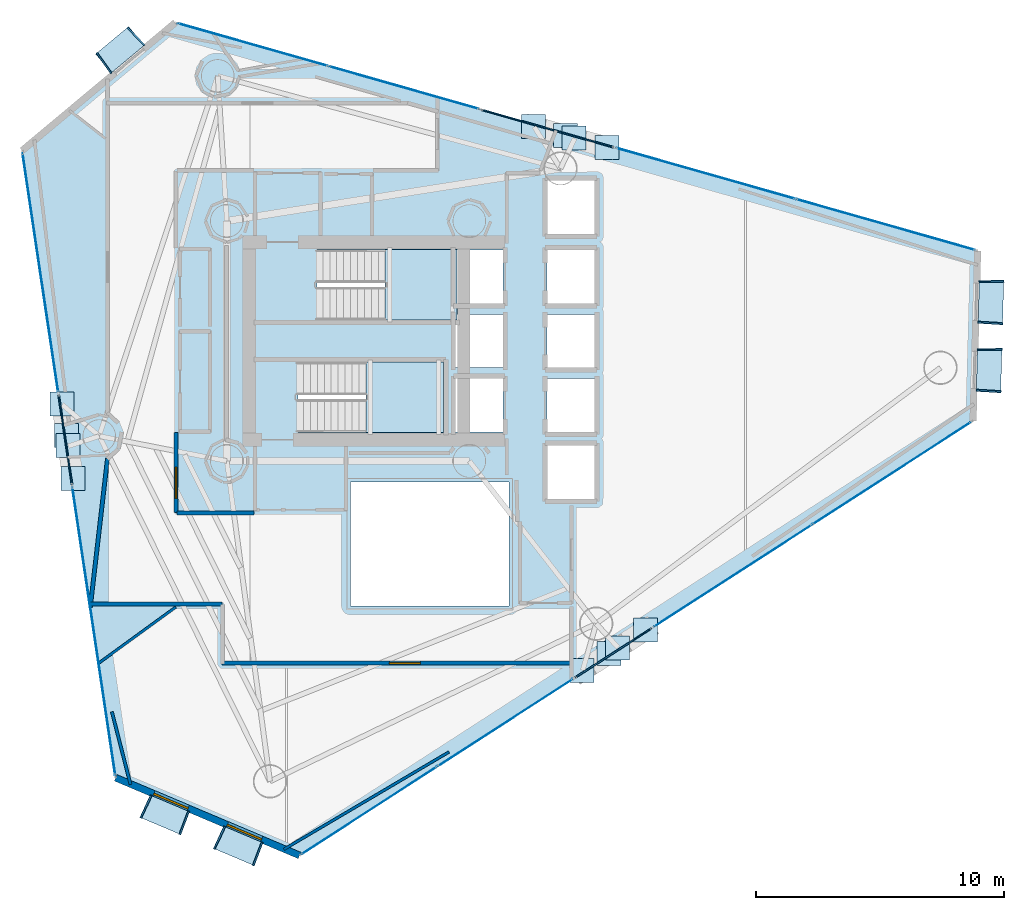
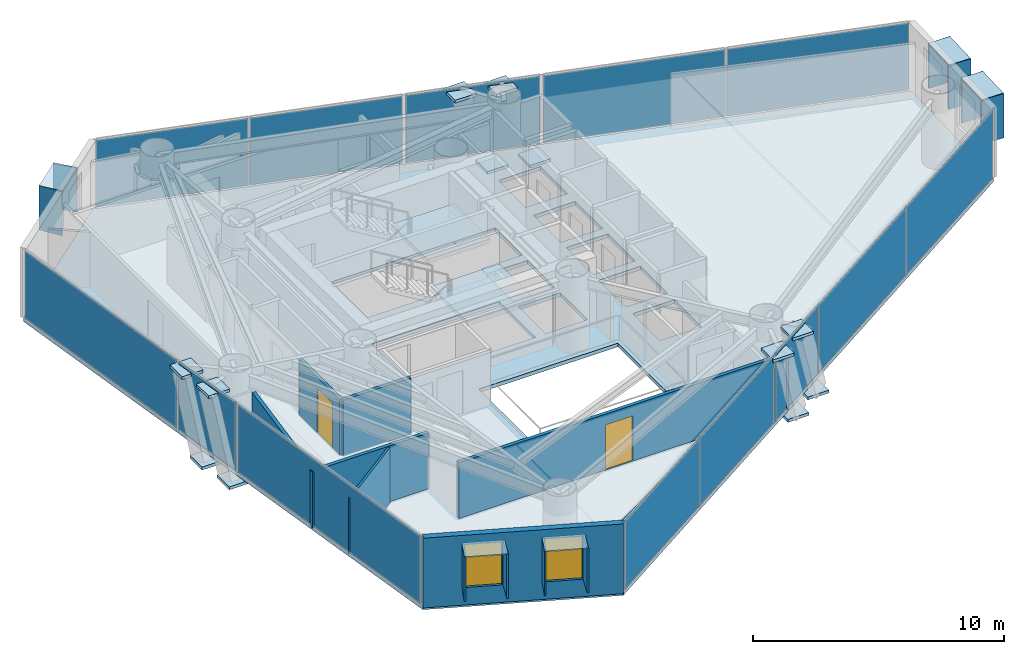
# One storey, part 17 of 22: 40 plates, 9 walls, 3 slabs, 2 doors, 2 windows, 4 openings, 11 elements without a shape of their own.
"""IFC4 building model written with IfcOpenShell, lengths in metres."""

from ifc_helpers import new_model, si_unit, direction, frame, frame_2d, origin, origin_2d, place, context, subcontext, project, spatial, polyline, rectangle, outline, extrude, material, layer, layer_set, type_object, element, fill, aggregate, save


model = new_model("IFC4")

# Units and contexts
model_context = context("Model", 3, precision=1e-05, world=origin(), true_north=direction((0.0, 1.0)))
body_context = subcontext(model_context, "Body", "Model", "MODEL_VIEW")
ifc_project = project(units=[si_unit("LENGTHUNIT", "METRE"), si_unit("AREAUNIT", "SQUARE_METRE"), si_unit("VOLUMEUNIT", "CUBIC_METRE"), si_unit("PLANEANGLEUNIT", "RADIAN"), si_unit("MASSUNIT", "GRAM", prefix="KILO")], contexts=[model_context])

# Site, building, storey
site_placement = place(None, origin())
site = spatial("IfcSite", under=ifc_project, at=site_placement, CompositionType="ELEMENT")
building_placement = place(site_placement, origin())
building = spatial("IfcBuilding", under=site, at=building_placement, Name="Qianvela Tower", CompositionType="ELEMENT")
storey_placement = place(building_placement, frame((0.0, 0.0, 180.89990234375)))
storey = spatial("IfcBuildingStorey", under=building, at=storey_placement, Name="L46", CompositionType="ELEMENT", Elevation=180.89990234375)

# Curtain wall, plate
ifc_material_1 = material(Name="Anodised Architectural Aluminium and Insulated Spandrel Panel", Category="aluminium")
ifc_layer_1 = layer(ifc_material_1, 0.179931640625)
ifc_layer_set_1 = layer_set([ifc_layer_1], Name="Anodised Architectural Aluminium and Insulated Spandrel Panel")
curtain_wall_type_1 = type_object("IfcCurtainWallType", Name="CW-BRACEBAY", PredefinedType="USERDEFINED", material=ifc_layer_set_1)
curtain_wall_1_placement = place(storey_placement, origin())
curtain_wall_1 = element("IfcCurtainWall", 1, at=curtain_wall_1_placement, inside=storey, type_object=curtain_wall_type_1, Name="L46 CW-BRACEBAY Curtain Wall 02B", ObjectType="CURTAIN_WALL_SYSTEM", PredefinedType="USERDEFINED")
ifc_material_2 = material(Name="Insulated Aluminium Spandrel Panel with Mineral-Wool Backpan", Category="aluminium")
ifc_layer_2 = layer(ifc_material_2, 0.06005859375)
ifc_layer_set_2 = layer_set([ifc_layer_2], Name="Insulated Aluminium Spandrel Panel with Mineral-Wool Backpan")
plate_type_1 = type_object("IfcPlateType", Name="CW-BRACEBAY-PNL", PredefinedType="CURTAIN_PANEL", material=ifc_layer_set_2)
plate_1_placement = place(storey_placement, frame((41.5634765625, 37.28466796875, 0.065185546875), z_axis=(0.0, 0.0, 1.0), x_axis=(-0.961867878695, 0.273514504068, 0.0)))
plate_1 = element("IfcPlate", 2, at=plate_1_placement, type_object=plate_type_1, Name="CW-9 panel 1.1", PredefinedType="CURTAIN_PANEL", context=body_context, shape_type="SweptSolid", body=[
    extrude(rectangle(XDim=5.530029296875, YDim=0.06005859375, at=origin_2d()), origin(), (0.0, 0.0, 1.0), 3.27001953125),
])
aggregate(curtain_wall_1, [plate_1])

curtain_wall_2_placement = place(storey_placement, origin())
curtain_wall_2 = element("IfcCurtainWall", 3, at=curtain_wall_2_placement, inside=storey, type_object=curtain_wall_type_1, Name="L46 CW-BRACEBAY Curtain Wall 04B", ObjectType="CURTAIN_WALL_SYSTEM", PredefinedType="USERDEFINED")
plate_2_placement = place(storey_placement, frame((22.076904296875, 24.708740234375, 0.065185546875), z_axis=(0.0, 0.0, 1.0), x_axis=(0.147465626524, -0.989067181234, 0.0)))
plate_2 = element("IfcPlate", 4, at=plate_2_placement, type_object=plate_type_1, Name="CW-9 panel 1.1", PredefinedType="CURTAIN_PANEL", context=body_context, shape_type="SweptSolid", body=[
    extrude(rectangle(XDim=3.66015625, YDim=0.06005859375, at=origin_2d()), origin(), (0.0, 0.0, 1.0), 3.27001953125),
])
aggregate(curtain_wall_2, [plate_2])

curtain_wall_3_placement = place(storey_placement, origin())
curtain_wall_3 = element("IfcCurtainWall", 5, at=curtain_wall_3_placement, inside=storey, type_object=curtain_wall_type_1, Name="L46 CW-BRACEBAY Curtain Wall 06B", ObjectType="CURTAIN_WALL_SYSTEM", PredefinedType="USERDEFINED")
plate_3_placement = place(storey_placement, frame((44.22216796875, 16.09716796875, 0.065185546875), z_axis=(0.0, 0.0, 1.0), x_axis=(0.840238483381, 0.542217014715, 0.0)))
plate_3 = element("IfcPlate", 6, at=plate_3_placement, type_object=plate_type_1, Name="CW-9 panel 1.1", PredefinedType="CURTAIN_PANEL", context=body_context, shape_type="SweptSolid", body=[
    extrude(rectangle(XDim=3.659912109375, YDim=0.06005859375, at=origin_2d()), origin(), (0.0, 0.0, 1.0), 3.27001953125),
])
aggregate(curtain_wall_3, [plate_3])

# Curtain wall, plates
ifc_material_3 = material(Name="Anodised Architectural Aluminium and Low-E Glass", Category="aluminium")
ifc_layer_3 = layer(ifc_material_3, 0.169921875)
ifc_layer_set_3 = layer_set([ifc_layer_3], Name="Anodised Architectural Aluminium and Low-E Glass")
curtain_wall_type_2 = type_object("IfcCurtainWallType", Name="CW-COLIV-Z34", PredefinedType="USERDEFINED", material=ifc_layer_set_3)
curtain_wall_4_placement = place(storey_placement, origin())
curtain_wall_4 = element("IfcCurtainWall", 7, at=curtain_wall_4_placement, inside=storey, type_object=curtain_wall_type_2, Name="L46 CW-COLIV-Z34 Curtain Wall 02A", ObjectType="CURTAIN_WALL_SYSTEM", PredefinedType="USERDEFINED")
ifc_material_4 = material(Name="Double-Silver Low-E Insulated Glass", Category="glass")
ifc_layer_4 = layer(ifc_material_4, 0.028076171875)
ifc_layer_set_4 = layer_set([ifc_layer_4], Name="Double-Silver Low-E Insulated Glass")
plate_type_2 = type_object("IfcPlateType", Name="CW-COLIV-Z34-PNL", PredefinedType="CURTAIN_PANEL", material=ifc_layer_set_4)
plate_4_placement = place(storey_placement, frame((55.220703125, 33.401123046875, 0.065185546875), z_axis=(0.0, 0.0, 1.0), x_axis=(-0.961870706003, 0.273504561082, 0.0)))
plate_4 = element("IfcPlate", 8, at=plate_4_placement, type_object=plate_type_2, Name="CW-4 panel 1.1", PredefinedType="CURTAIN_PANEL", context=body_context, shape_type="SweptSolid", body=[
    extrude(rectangle(XDim=7.492431640625, YDim=0.028076171875, at=origin_2d()), origin(), (0.0, 0.0, 1.0), 3.27001953125),
])
plate_5_placement = place(storey_placement, frame((47.951416015625, 35.468017578125, 0.065185546875), z_axis=(0.0, 0.0, 1.0), x_axis=(-0.961870706003, 0.273504561082, 0.0)))
plate_5 = element("IfcPlate", 9, at=plate_5_placement, type_object=plate_type_2, Name="CW-4 panel 2.1", PredefinedType="CURTAIN_PANEL", context=body_context, shape_type="SweptSolid", body=[
    extrude(rectangle(XDim=7.492431640625, YDim=0.028076171875, at=origin_2d()), origin(), (0.0, 0.0, 1.0), 3.27001953125),
])
aggregate(curtain_wall_4, [plate_4, plate_5])

curtain_wall_5_placement = place(storey_placement, origin())
curtain_wall_5 = element("IfcCurtainWall", 10, at=curtain_wall_5_placement, inside=storey, type_object=curtain_wall_type_2, Name="L46 CW-COLIV-Z34 Curtain Wall 02C", ObjectType="CURTAIN_WALL_SYSTEM", PredefinedType="USERDEFINED")
plate_6_placement = place(storey_placement, frame((35.7578125, 38.935302734375, 0.065185546875), z_axis=(0.0, 0.0, 1.0), x_axis=(-0.961871315197, 0.273502418638, 0.0)))
plate_6 = element("IfcPlate", 11, at=plate_6_placement, type_object=plate_type_2, Name="CW-4 panel 1.1", PredefinedType="CURTAIN_PANEL", context=body_context, shape_type="SweptSolid", body=[
    extrude(rectangle(XDim=6.281494140625, YDim=0.028076171875, at=origin_2d()), origin(), (0.0, 0.0, 1.0), 3.27001953125),
])
plate_7_placement = place(storey_placement, frame((29.6533203125, 40.671142578125, 0.065185546875), z_axis=(0.0, 0.0, 1.0), x_axis=(-0.961871315197, 0.273502418638, 0.0)))
plate_7 = element("IfcPlate", 12, at=plate_7_placement, type_object=plate_type_2, Name="CW-4 panel 2.1", PredefinedType="CURTAIN_PANEL", context=body_context, shape_type="SweptSolid", body=[
    extrude(rectangle(XDim=6.281494140625, YDim=0.028076171875, at=origin_2d()), origin(), (0.0, 0.0, 1.0), 3.27001953125),
])
aggregate(curtain_wall_5, [plate_6, plate_7])

# Curtain wall, plate
curtain_wall_6_placement = place(storey_placement, origin())
curtain_wall_6 = element("IfcCurtainWall", 13, at=curtain_wall_6_placement, inside=storey, type_object=curtain_wall_type_2, Name="L46 CW-COLIV-Z34 Curtain Wall 04A", ObjectType="CURTAIN_WALL_SYSTEM", PredefinedType="USERDEFINED")
plate_8_placement = place(storey_placement, frame((21.06982421875, 31.464111328125, 0.065185546875), z_axis=(0.0, 0.0, 1.0), x_axis=(0.147458504505, -0.98906824307, 0.0)))
plate_8 = element("IfcPlate", 14, at=plate_8_placement, type_object=plate_type_2, Name="CW-4 panel 1.1", PredefinedType="CURTAIN_PANEL", context=body_context, shape_type="SweptSolid", body=[
    extrude(rectangle(XDim=9.739990234375, YDim=0.028076171875, at=origin_2d()), origin(), (0.0, 0.0, 1.0), 3.27001953125),
])
aggregate(curtain_wall_6, [plate_8])

curtain_wall_7_placement = place(storey_placement, origin())
curtain_wall_7 = element("IfcCurtainWall", 15, at=curtain_wall_7_placement, inside=storey, type_object=curtain_wall_type_2, Name="L46 CW-COLIV-Z34 Curtain Wall 04C", ObjectType="CURTAIN_WALL_SYSTEM", PredefinedType="USERDEFINED")
plate_9_placement = place(storey_placement, frame((23.231201171875, 16.967041015625, 0.065185546875), z_axis=(0.0, 0.0, 1.0), x_axis=(0.147466214467, -0.989067093574, 0.0)))
plate_9 = element("IfcPlate", 16, at=plate_9_placement, type_object=plate_type_2, Name="CW-4 panel 1.1", PredefinedType="CURTAIN_PANEL", context=body_context, shape_type="SweptSolid", body=[
    extrude(rectangle(XDim=11.734375, YDim=0.028076171875, at=origin_2d()), origin(), (0.0, 0.0, 1.0), 3.27001953125),
])
aggregate(curtain_wall_7, [plate_9])

# Curtain wall, plates
curtain_wall_8_placement = place(storey_placement, origin())
curtain_wall_8 = element("IfcCurtainWall", 17, at=curtain_wall_8_placement, inside=storey, type_object=curtain_wall_type_2, Name="L46 CW-COLIV-Z34 Curtain Wall 06A", ObjectType="CURTAIN_WALL_SYSTEM", PredefinedType="USERDEFINED")
plate_10_placement = place(storey_placement, frame((34.356689453125, 9.731201171875, 0.065185546875), z_axis=(0.0, 0.0, 1.0), x_axis=(0.84025663966, 0.542188878074, 0.0)))
plate_10 = element("IfcPlate", 18, at=plate_10_placement, type_object=plate_type_2, Name="CW-4 panel 1.1", PredefinedType="CURTAIN_PANEL", context=body_context, shape_type="SweptSolid", body=[
    extrude(rectangle(XDim=6.4775390625, YDim=0.028076171875, at=origin_2d()), origin(), (0.0, 0.0, 1.0), 3.27001953125),
])
plate_11_placement = place(storey_placement, frame((39.85400390625, 13.2783203125, 0.065185546875), z_axis=(0.0, 0.0, 1.0), x_axis=(0.84025663966, 0.542188878074, 0.0)))
plate_11 = element("IfcPlate", 19, at=plate_11_placement, type_object=plate_type_2, Name="CW-4 panel 2.1", PredefinedType="CURTAIN_PANEL", context=body_context, shape_type="SweptSolid", body=[
    extrude(rectangle(XDim=6.4775390625, YDim=0.028076171875, at=origin_2d()), origin(), (0.0, 0.0, 1.0), 3.27001953125),
])
aggregate(curtain_wall_8, [plate_10, plate_11])

curtain_wall_9_placement = place(storey_placement, origin())
curtain_wall_9 = element("IfcCurtainWall", 20, at=curtain_wall_9_placement, inside=storey, type_object=curtain_wall_type_2, Name="L46 CW-COLIV-Z34 Curtain Wall 06C", ObjectType="CURTAIN_WALL_SYSTEM", PredefinedType="USERDEFINED")
plate_12_placement = place(storey_placement, frame((49.051513671875, 19.21337890625, 0.065185546875), z_axis=(0.0, 0.0, 1.0), x_axis=(0.840255943922, 0.542189956292, 0.0)))
plate_12 = element("IfcPlate", 21, at=plate_12_placement, type_object=plate_type_2, Name="CW-4 panel 1.1", PredefinedType="CURTAIN_PANEL", context=body_context, shape_type="SweptSolid", body=[
    extrude(rectangle(XDim=7.57470703125, YDim=0.028076171875, at=origin_2d()), origin(), (0.0, 0.0, 1.0), 3.27001953125),
])
plate_13_placement = place(storey_placement, frame((55.470703125, 23.35546875, 0.065185546875), z_axis=(0.0, 0.0, 1.0), x_axis=(0.840255943922, 0.542189956292, 0.0)))
plate_13 = element("IfcPlate", 22, at=plate_13_placement, type_object=plate_type_2, Name="CW-4 panel 2.1", PredefinedType="CURTAIN_PANEL", context=body_context, shape_type="SweptSolid", body=[
    extrude(rectangle(XDim=7.57470703125, YDim=0.028076171875, at=origin_2d()), origin(), (0.0, 0.0, 1.0), 3.27001953125),
])
aggregate(curtain_wall_9, [plate_12, plate_13])

# Plates
ifc_material_5 = material(Name="Steel Q420GJC", Category="steel")
ifc_layer_5 = layer(ifc_material_5, 0.139892578125)
ifc_layer_set_5 = layer_set([ifc_layer_5], Name="Steel Q420GJC")
plate_type_3 = type_object("IfcPlateType", Name="PT-GUSSET-NODE-140", PredefinedType="USERDEFINED", material=ifc_layer_set_5)
for number, where, z_axis, x_axis, name in (
    (23, (43.964599609375, 36.5185546875, -0.61279296875), (0.0, 0.0, 1.0), (1.0, 0.0, 0.0), "L46 Node Gusset Plate A"),
    (24, (42.63720703125, 36.89599609375, 3.0888671875), (0.0, 0.0, 1.0), (1.0, 0.0, 0.0), "L46 Node Gusset Plate B"),
    (25, (42.278564453125, 36.998046875, -0.61328125), (0.0, 0.0, 1.0), (1.0, 0.0, 0.0), "L46 Node Gusset Plate A"),
    (26, (40.999755859375, 37.361572265625, 3.08935546875), (0.0, 0.0, 1.0), (1.0, 0.0, 0.0), "L46 Node Gusset Plate B"),
    (27, (22.13134765625, 24.88671875, -0.61328125), (0.0, 0.0, 1.0), (1.0, 0.0, 0.0), "L46 Node Gusset Plate A"),
    (28, (21.942138671875, 26.155517578125, 3.08935546875), (0.0, 0.0, 1.0), (1.0, 0.0, 0.0), "L46 Node Gusset Plate B"),
    (29, (22.389892578125, 23.152587890625, -0.61328125), (0.0, 0.0, 1.0), (1.0, 0.0, 0.0), "L46 Node Gusset Plate A"),
    (30, (22.193115234375, 24.47216796875, 3.08935546875), (0.0, 0.0, 1.0), (1.0, 0.0, 0.0), "L46 Node Gusset Plate B"),
    (31, (44.039306640625, 16.07421875, -0.61328125), (0.0, 0.0, 1.0), (1.0, 0.0, 0.0), "L46 Node Gusset Plate A"),
    (32, (42.961181640625, 15.378662109375, 3.08935546875), (0.0, 0.0, 1.0), (1.0, 0.0, 0.0), "L46 Node Gusset Plate B"),
    (33, (45.51220703125, 17.02490234375, -0.61328125), (0.0, 0.0, 1.0), (1.0, 0.0, 0.0), "L46 Node Gusset Plate A"),
    (34, (44.391357421875, 16.301513671875, 3.08935546875), (0.0, 0.0, 1.0), (1.0, 0.0, 0.0), "L46 Node Gusset Plate B"),
):
    element("IfcPlate", number, at=place(storey_placement, frame(where, z_axis=z_axis, x_axis=x_axis)), inside=storey, type_object=plate_type_3, Name=name, ObjectType="GUSSET_PLATE", PredefinedType="USERDEFINED", context=body_context, shape_type="SweptSolid", body=[
        extrude(rectangle(XDim=0.969970703125, YDim=0.969970703125, at=origin_2d()), origin(), (0.0, 0.0, 1.0), 0.139892578125),
    ])

# Slab
ifc_material_6 = material(Name="Concrete C40", Category="concrete")
ifc_layer_6 = layer(ifc_material_6, 0.179931640625)
ifc_layer_set_6 = layer_set([ifc_layer_6], Name="Concrete C40")
slab_type_1 = type_object("IfcSlabType", Name="SL-FLOOR-180", PredefinedType="FLOOR", material=ifc_layer_set_6)
slab_1_placement = place(storey_placement, frame((0.0, 0.0, -0.179931640625)))
element("IfcSlab", 35, at=slab_1_placement, inside=storey, type_object=slab_type_1, Name="L46 Composite Structural Floor Slab", PredefinedType="FLOOR", context=body_context, shape_type="SweptSolid", body=[
    extrude(outline(polyline([(58.74951171875, 25.47119140625), (58.934814453125, 32.344970703125), (26.521728515625, 41.5615234375), (20.334716796875, 36.39453125), (24.11328125, 11.05029296875), (31.53857421875, 7.912841796875), (58.74951171875, 25.47119140625)]), holes=[polyline([(40.0, 23.0), (33.60009765625, 23.0), (33.60009765625, 18.0), (40.0, 18.0), (40.0, 23.0)]), polyline([(39.760009765625, 27.179931640625), (37.840087890625, 27.179931640625), (37.840087890625, 25.02001953125), (39.760009765625, 25.02001953125), (39.760009765625, 27.179931640625)]), polyline([(37.35009765625, 27.860107421875), (31.469970703125, 27.860107421875), (31.469970703125, 25.0), (37.35009765625, 25.0), (37.35009765625, 27.860107421875)]), polyline([(37.840087890625, 27.6201171875), (39.760009765625, 27.6201171875), (39.760009765625, 29.780029296875), (37.89990234375, 29.780029296875), (37.89990234375, 30.219970703125), (39.760009765625, 30.219970703125), (39.760009765625, 32.3798828125), (37.89990234375, 32.3798828125), (37.89990234375, 32.39990234375), (32.25, 32.39990234375), (32.25, 29.5400390625), (37.840087890625, 29.5400390625), (37.840087890625, 27.6201171875)]), polyline([(43.4599609375, 22.320068359375), (43.4599609375, 24.47998046875), (41.5400390625, 24.47998046875), (41.5400390625, 22.320068359375), (43.4599609375, 22.320068359375)]), polyline([(43.4599609375, 25.02001953125), (43.4599609375, 27.179931640625), (41.5400390625, 27.179931640625), (41.5400390625, 25.02001953125), (43.4599609375, 25.02001953125)]), polyline([(43.4599609375, 29.780029296875), (41.5400390625, 29.780029296875), (41.5400390625, 27.6201171875), (43.4599609375, 27.6201171875), (43.4599609375, 29.780029296875)]), polyline([(43.4599609375, 30.219970703125), (43.4599609375, 32.3798828125), (41.5400390625, 32.3798828125), (41.5400390625, 30.219970703125), (43.4599609375, 30.219970703125)]), polyline([(43.4599609375, 33.02001953125), (43.4599609375, 35.179931640625), (41.5400390625, 35.179931640625), (41.5400390625, 33.02001953125), (43.4599609375, 33.02001953125)])]), origin(), (0.0, 0.0, 1.0), 0.179931640625),
])

# Stair, slab
ifc_material_7 = material(Name="Concrete C40", Category="concrete")
stair_type = type_object("IfcStairType", Name="ST-DOGLEG-1350-R168-N22", PredefinedType="HALF_TURN_STAIR", material=ifc_material_7)
stair_1_placement = place(storey_placement, origin())
stair_1 = element("IfcStair", 36, at=stair_1_placement, inside=storey, type_object=stair_type, Name="L46 Smoke-Proof Core Stair ST-1", PredefinedType="HALF_TURN_STAIR")
ifc_material_8 = material(Name="Concrete C40", Category="concrete")
ifc_layer_7 = layer(ifc_material_8, 0.199951171875)
ifc_layer_set_7 = layer_set([ifc_layer_7], Name="Concrete C40")
slab_type_2 = type_object("IfcSlabType", Name="SL-STAIR-LANDING-200", PredefinedType="LANDING", material=ifc_layer_set_7)
slab_2_placement = place(storey_placement, frame((0.0, 0.0, 1.650146484375)))
slab_2 = element("IfcSlab", 37, at=slab_2_placement, type_object=slab_type_2, Name="ST-1 landing 1", PredefinedType="LANDING", context=body_context, shape_type="SweptSolid", body=[
    extrude(outline(polyline([(35.0, 29.5400390625), (37.89990234375, 29.5400390625), (37.89990234375, 32.39990234375), (35.0, 32.39990234375), (35.0, 29.5400390625)])), origin(), (0.0, 0.0, 1.0), 0.199951171875),
])
aggregate(stair_1, [slab_2])

stair_2_placement = place(storey_placement, origin())
stair_2 = element("IfcStair", 38, at=stair_2_placement, inside=storey, type_object=stair_type, Name="L46 Smoke-Proof Core Stair ST-2", PredefinedType="HALF_TURN_STAIR")
slab_3_placement = place(storey_placement, frame((0.0, 0.0, 1.650146484375)))
slab_3 = element("IfcSlab", 39, at=slab_3_placement, type_object=slab_type_2, Name="ST-2 landing 1", PredefinedType="LANDING", context=body_context, shape_type="SweptSolid", body=[
    extrude(outline(polyline([(34.219970703125, 25.0), (37.35009765625, 25.0), (37.35009765625, 27.860107421875), (34.219970703125, 27.860107421875), (34.219970703125, 25.0)])), origin(), (0.0, 0.0, 1.0), 0.199951171875),
])
aggregate(stair_2, [slab_3])

# Plates
ifc_material_9 = material(Name="Vitrified Architectural Terracotta Panel", Category="masonry")
ifc_layer_8 = layer(ifc_material_9, 0.06005859375)
ifc_layer_set_8 = layer_set([ifc_layer_8], Name="Vitrified Architectural Terracotta Panel")
plate_type_4 = type_object("IfcPlateType", Name="TERRACOTTA-SUNSHADE-HOOD-FOLD-A", PredefinedType="USERDEFINED", material=ifc_layer_set_8)
plate_14_placement = place(storey_placement, frame((24.2841796875, 40.46826171875, 2.9599609375), z_axis=(0.0, 0.0, 1.0), x_axis=(-0.767544541846, -0.64099561331, 0.0)))
element("IfcPlate", 40, at=plate_14_placement, inside=storey, type_object=plate_type_4, Name="L46 Terracotta Sunshade Hood FOLD-A", ObjectType="SUNSHADE", PredefinedType="USERDEFINED", context=body_context, shape_type="SweptSolid", body=[
    extrude(rectangle(XDim=1.739990234375, YDim=0.989990234375, at=origin_2d()), origin(), (0.0, 0.0, 1.0), 0.06005859375),
])
ifc_material_10 = material(Name="Vitrified Architectural Terracotta Panel", Category="masonry")
ifc_layer_9 = layer(ifc_material_10, 0.070068359375)
ifc_layer_set_9 = layer_set([ifc_layer_9], Name="Vitrified Architectural Terracotta Panel")
plate_type_5 = type_object("IfcPlateType", Name="TERRACOTTA-SUNSHADE-HOOD-FOLD-C", PredefinedType="USERDEFINED", material=ifc_layer_set_9)
for number, where, z_axis, x_axis, name in (
    (41, (59.39990234375, 27.517333984375, 2.9599609375), (0.0, 0.0, 1.0), (0.026934154054, 0.999637209864, 0.0), "L46 Terracotta Sunshade Hood FOLD-C"),
    (42, (59.47412109375, 30.266845703125, 2.9599609375), (0.0, 0.0, 1.0), (0.026934154054, 0.999637209864, 0.0), "L46 Terracotta Sunshade Hood FOLD-C"),
    (43, (26.109375, 9.56103515625, 2.9599609375), (0.0, 0.0, 1.0), (0.921141934257, -0.38922684511, 0.0), "L46 Terracotta Sunshade Hood FOLD-C"),
    (44, (29.07958984375, 8.305908203125, 2.9599609375), (0.0, 0.0, 1.0), (0.921141934257, -0.38922684511, 0.0), "L46 Terracotta Sunshade Hood FOLD-C"),
):
    element("IfcPlate", number, at=place(storey_placement, frame(where, z_axis=z_axis, x_axis=x_axis)), inside=storey, type_object=plate_type_5, Name=name, ObjectType="SUNSHADE", PredefinedType="USERDEFINED", context=body_context, shape_type="SweptSolid", body=[
        extrude(rectangle(XDim=1.739990234375, YDim=0.989990234375, at=origin_2d()), origin(), (0.0, 0.0, 1.0), 0.06005859375),
    ])
ifc_material_11 = material(Name="Vitrified Architectural Terracotta Side Fin Panel", Category="masonry")
ifc_layer_10 = layer(ifc_material_11, 0.06494140625)
ifc_layer_set_10 = layer_set([ifc_layer_10], Name="Vitrified Architectural Terracotta Side Fin Panel")
plate_type_6 = type_object("IfcPlateType", Name="TERRACOTTA-SUNSHADE-STRUT-FOLD-A", PredefinedType="USERDEFINED", material=ifc_layer_set_10)
for number, where, z_axis, x_axis, name in (
    (45, (24.928955078125, 41.006591796875, 0.85009765625), (0.0, 0.0, 1.0), (-0.720961248249, -0.692975380893, 0.0), "L46 Terracotta Sunshade Side Fin HL FOLD-A"),
    (46, (23.639404296875, 39.9296875, 0.85009765625), (0.0, 0.0, 1.0), (-0.810388435588, -0.585892979532, 0.0), "L46 Terracotta Sunshade Side Fin HR FOLD-A"),
):
    element("IfcPlate", number, at=place(storey_placement, frame(where, z_axis=z_axis, x_axis=x_axis)), inside=storey, type_object=plate_type_6, Name=name, ObjectType="SUNSHADE", PredefinedType="USERDEFINED", context=body_context, shape_type="SweptSolid", body=[
        extrude(rectangle(XDim=0.06494140625, YDim=1.010009765625, at=origin_2d()), origin(), (0.0, 0.0, 1.0), 2.159912109375),
    ])
ifc_material_12 = material(Name="Vitrified Architectural Terracotta Side Fin Panel", Category="masonry")
ifc_layer_11 = layer(ifc_material_12, 0.074951171875)
ifc_layer_set_11 = layer_set([ifc_layer_11], Name="Vitrified Architectural Terracotta Side Fin Panel")
plate_type_7 = type_object("IfcPlateType", Name="TERRACOTTA-SUNSHADE-STRUT-FOLD-C", PredefinedType="USERDEFINED", material=ifc_layer_set_11)
for number, where, z_axis, x_axis, name in (
    (47, (59.377197265625, 26.677734375, 0.85009765625), (0.0, 0.0, 1.0), (0.061804582005, 0.998088269465, 0.0), "L46 Terracotta Sunshade Side Fin HL FOLD-C"),
    (48, (59.422607421875, 28.357177734375, 0.85009765625), (0.0, 0.0, 1.0), (-0.007969089014, 0.999968246306, 0.0), "L46 Terracotta Sunshade Side Fin HR FOLD-C"),
    (49, (59.451416015625, 29.42724609375, 0.85009765625), (0.0, 0.0, 1.0), (0.061804582005, 0.998088269465, 0.0), "L46 Terracotta Sunshade Side Fin HL FOLD-C"),
    (50, (59.49658203125, 31.106689453125, 0.85009765625), (0.0, 0.0, 1.0), (-0.007969089014, 0.999968246306, 0.0), "L46 Terracotta Sunshade Side Fin HR FOLD-C"),
    (51, (25.335693359375, 9.887939453125, 0.85009765625), (0.0, 0.0, 1.0), (0.906996978481, -0.421137128529, 0.0), "L46 Terracotta Sunshade Side Fin HL FOLD-C"),
    (52, (26.883056640625, 9.23388671875, 0.85009765625), (0.0, 0.0, 1.0), (0.934164620476, -0.356842348735, 0.0), "L46 Terracotta Sunshade Side Fin HR FOLD-C"),
    (53, (28.3056640625, 8.6328125, 0.85009765625), (0.0, 0.0, 1.0), (0.906996978481, -0.421137128529, 0.0), "L46 Terracotta Sunshade Side Fin HL FOLD-C"),
    (54, (29.853271484375, 7.97900390625, 0.85009765625), (0.0, 0.0, 1.0), (0.934164620476, -0.356842348735, 0.0), "L46 Terracotta Sunshade Side Fin HR FOLD-C"),
):
    element("IfcPlate", number, at=place(storey_placement, frame(where, z_axis=z_axis, x_axis=x_axis)), inside=storey, type_object=plate_type_7, Name=name, ObjectType="SUNSHADE", PredefinedType="USERDEFINED", context=body_context, shape_type="SweptSolid", body=[
        extrude(rectangle(XDim=0.074951171875, YDim=1.010009765625, at=origin_2d()), origin(), (0.0, 0.0, 1.0), 2.159912109375),
    ])

# Wall, openings, windows
ifc_material_13 = material(Name="Terracotta Cladding on Concrete C40", Category="masonry")
ifc_layer_12 = layer(ifc_material_13, 0.280029296875)
ifc_layer_set_12 = layer_set([ifc_layer_12], Name="Terracotta Cladding on Concrete C40")
wall_type_1 = type_object("IfcWallType", Name="TERRACOTTA-WALL-280", PredefinedType="SOLIDWALL", material=ifc_layer_set_12)
wall_1_placement = place(storey_placement, frame((24.11328125, 11.05029296875, 0.0), z_axis=(0.0, 0.0, 1.0), x_axis=(0.921146063355, -0.389217073064, 0.0)))
wall_1 = element("IfcWall", 55, at=wall_1_placement, inside=storey, type_object=wall_type_1, Name="L46 Terracotta Chamfer Facet Wall 5", PredefinedType="SOLIDWALL", context=body_context, shape_type="SweptSolid", body=[
    extrude(rectangle(XDim=8.06103515625, YDim=0.280029296875, at=frame_2d((4.030517578125, 0.0))), origin(), (0.0, 0.0, 1.0), 3.400146484375),
])
opening_1_placement = place(wall_1_placement, frame((1.668212890625, 0.0, 0.85009765625)))
opening_1 = element("IfcOpeningElement", 56, at=opening_1_placement, cuts=wall_1, Name="Opening W-02", PredefinedType="OPENING", context=body_context, shape_type="SweptSolid", body=[
    extrude(rectangle(XDim=1.5, YDim=2.10009765625, at=frame_2d((0.75, 1.050048828125))), frame((0.0, 0.14990234375, 0.0), z_axis=(0.0, -1.0, 0.0), x_axis=(1.0, 0.0, 0.0)), (0.0, 0.0, 1.0), 0.300048828125),
])
opening_2_placement = place(wall_1_placement, frame((4.892578125, 0.0, 0.85009765625)))
opening_2 = element("IfcOpeningElement", 57, at=opening_2_placement, cuts=wall_1, Name="Opening W-02", PredefinedType="OPENING", context=body_context, shape_type="SweptSolid", body=[
    extrude(rectangle(XDim=1.5, YDim=2.10009765625, at=frame_2d((0.75, 1.050048828125))), frame((0.0, 0.14990234375, 0.0), z_axis=(0.0, -1.0, 0.0), x_axis=(1.0, 0.0, 0.0)), (0.0, 0.0, 1.0), 0.300048828125),
])
ifc_material_14 = material(Name="Thermally Broken Aluminium and Low-E Glass", Category="aluminium")
window_type = type_object("IfcWindowType", Name="WIN-TC-1500x2100", PartitioningType="DOUBLE_PANEL_VERTICAL", PredefinedType="WINDOW", material=ifc_material_14)
window_1_placement = place(opening_1_placement, origin())
window_1 = element("IfcWindow", 58, at=window_1_placement, inside=storey, type_object=window_type, Name="L46 Chamfer Facet Window 5.1", OverallHeight=2.10009765625, OverallWidth=1.5, PartitioningType="SINGLE_PANEL", PredefinedType="WINDOW", context=body_context, shape_type="SweptSolid", body=[
    extrude(rectangle(XDim=1.5, YDim=2.10009765625, at=frame_2d((0.75, 1.050048828125))), frame((0.0, 0.030029296875, 0.0), z_axis=(0.0, -1.0, 0.0), x_axis=(1.0, 0.0, 0.0)), (0.0, 0.0, 1.0), 0.06005859375),
])
fill(opening_1, window_1)
window_2_placement = place(opening_2_placement, origin())
window_2 = element("IfcWindow", 59, at=window_2_placement, inside=storey, type_object=window_type, Name="L46 Chamfer Facet Window 5.2", OverallHeight=2.10009765625, OverallWidth=1.5, PartitioningType="SINGLE_PANEL", PredefinedType="WINDOW", context=body_context, shape_type="SweptSolid", body=[
    extrude(rectangle(XDim=1.5, YDim=2.10009765625, at=frame_2d((0.75, 1.050048828125))), frame((0.0, 0.030029296875, 0.0), z_axis=(0.0, -1.0, 0.0), x_axis=(1.0, 0.0, 0.0)), (0.0, 0.0, 1.0), 0.06005859375),
])
fill(opening_2, window_2)

# Wall, opening, door
ifc_material_15 = material(Name="Fire-Rated Gypsum and Concrete Block", Category="concrete")
ifc_layer_13 = layer(ifc_material_15, 0.159912109375)
ifc_layer_set_13 = layer_set([ifc_layer_13], Name="Fire-Rated Gypsum and Concrete Block")
wall_type_2 = type_object("IfcWallType", Name="WT-CORR-160", PredefinedType="PARTITIONING", material=ifc_layer_set_13)
wall_2_placement = place(storey_placement, frame((26.549072265625, 25.0, 0.0), z_axis=(0.0, 0.0, 1.0), x_axis=(0.0, -1.0, 0.0)))
wall_2 = element("IfcWall", 60, at=wall_2_placement, inside=storey, type_object=wall_type_2, Name="L46 Partition 54 seg 3", PredefinedType="PARTITIONING", context=body_context, shape_type="SweptSolid", body=[
    extrude(rectangle(XDim=3.219970703125, YDim=0.159912109375, at=frame_2d((1.60986328125, 0.0))), origin(), (0.0, 0.0, 1.0), 2.72021484375),
])
opening_3_placement = place(wall_2_placement, frame((1.405029296875, 0.0, 0.0)))
opening_3 = element("IfcOpeningElement", 61, at=opening_3_placement, cuts=wall_2, Name="Opening D-LG1", PredefinedType="OPENING", context=body_context, shape_type="SweptSolid", body=[
    extrude(rectangle(XDim=1.25, YDim=2.199951171875, at=frame_2d((0.625, 1.10009765625))), frame((0.0, 0.08984375, 0.0), z_axis=(0.0, -1.0, 0.0), x_axis=(1.0, 0.0, 0.0)), (0.0, 0.0, 1.0), 0.179931640625),
])
ifc_material_16 = material(Name="Anodised Aluminium Acoustic Glass Door", Category="aluminium")
door_type = type_object("IfcDoorType", Name="DT-LOUNGE-1250", OperationType="NOTDEFINED", PredefinedType="DOOR", material=ifc_material_16)
door_1_placement = place(opening_3_placement, origin())
door_1 = element("IfcDoor", 62, at=door_1_placement, inside=storey, type_object=door_type, Name="L46 Door Campus Convenience Shop L46-05 to L46 Floor Corridor", OperationType="SINGLE_SWING_RIGHT", OverallHeight=2.199951171875, OverallWidth=1.25, PredefinedType="DOOR", context=body_context, shape_type="SweptSolid", body=[
    extrude(rectangle(XDim=1.25, YDim=2.199951171875, at=frame_2d((0.625, 1.10009765625))), frame((0.0, 0.02490234375, 0.0), z_axis=(0.0, -1.0, 0.0), x_axis=(1.0, 0.0, 0.0)), (0.0, 0.0, 1.0), 0.050048828125),
])
fill(opening_3, door_1)

# Wall
wall_3_placement = place(storey_placement, frame((26.580078125, 21.7490234375, 0.0), z_axis=(0.0, 0.0, 1.0), x_axis=(1.0, 0.0, 0.0)))
element("IfcWall", 63, at=wall_3_placement, inside=storey, type_object=wall_type_2, Name="L46 Partition 55 seg 1", PredefinedType="PARTITIONING", context=body_context, shape_type="SweptSolid", body=[
    extrude(rectangle(XDim=3.119873046875, YDim=0.159912109375, at=frame_2d((1.56005859375, 0.0))), origin(), (0.0, 0.0, 1.0), 2.72021484375),
])

# Wall, opening, door
wall_4_placement = place(storey_placement, frame((43.59716796875, 15.680908203125, 0.0), z_axis=(0.0, 0.0, 1.0), x_axis=(-1.0, 0.0, 0.0)))
wall_4 = element("IfcWall", 64, at=wall_4_placement, inside=storey, type_object=wall_type_2, Name="L46 Partition 58", PredefinedType="PARTITIONING", context=body_context, shape_type="SweptSolid", body=[
    extrude(rectangle(XDim=15.197265625, YDim=0.159912109375, at=frame_2d((7.5986328125, 0.0))), origin(), (0.0, 0.0, 1.0), 2.72021484375),
])
opening_4_placement = place(wall_4_placement, frame((7.1787109375, 0.0, 0.0)))
opening_4 = element("IfcOpeningElement", 65, at=opening_4_placement, cuts=wall_4, Name="Opening D-LG1", PredefinedType="OPENING", context=body_context, shape_type="SweptSolid", body=[
    extrude(rectangle(XDim=1.25, YDim=2.199951171875, at=frame_2d((0.625, 1.10009765625))), frame((0.0, 0.08984375, 0.0), z_axis=(0.0, -1.0, 0.0), x_axis=(1.0, 0.0, 0.0)), (0.0, 0.0, 1.0), 0.179931640625),
])
door_2_placement = place(opening_4_placement, origin())
door_2 = element("IfcDoor", 66, at=door_2_placement, inside=storey, type_object=door_type, Name="L46 Door Student Reading Library L46-01 to L46 Floor Corridor", OperationType="SINGLE_SWING_RIGHT", OverallHeight=2.199951171875, OverallWidth=1.25, PredefinedType="DOOR", context=body_context, shape_type="SweptSolid", body=[
    extrude(rectangle(XDim=1.25, YDim=2.199951171875, at=frame_2d((0.625, 1.10009765625))), frame((0.0, 0.02490234375, 0.0), z_axis=(0.0, -1.0, 0.0), x_axis=(1.0, 0.0, 0.0)), (0.0, 0.0, 1.0), 0.050048828125),
])
fill(opening_4, door_2)

# Walls
wall_5_placement = place(storey_placement, frame((28.39990234375, 18.0810546875, 0.0), z_axis=(0.0, 0.0, 1.0), x_axis=(-1.0, 0.0, 0.0)))
element("IfcWall", 67, at=wall_5_placement, inside=storey, type_object=wall_type_2, Name="L46 Partition 60", PredefinedType="PARTITIONING", context=body_context, shape_type="SweptSolid", body=[
    extrude(rectangle(XDim=5.354736328125, YDim=0.159912109375, at=frame_2d((2.67724609375, 0.0))), origin(), (0.0, 0.0, 1.0), 2.72021484375),
])
wall_6_placement = place(storey_placement, frame((23.085205078125, 17.9462890625, 0.0), z_axis=(0.0, 0.0, 1.0), x_axis=(0.115005477672, 0.993364857495, 0.0)))
element("IfcWall", 68, at=wall_6_placement, inside=storey, type_object=wall_type_2, Name="L46 Partition 61", PredefinedType="PARTITIONING", context=body_context, shape_type="SweptSolid", body=[
    extrude(rectangle(XDim=6.050048828125, YDim=0.159912109375, at=frame_2d((3.02490234375, 0.0))), origin(), (0.0, 0.0, 1.0), 2.72021484375),
])
ifc_material_17 = material(Name="Lightweight Gypsum Room Partition")
ifc_layer_14 = layer(ifc_material_17, 0.10498046875)
ifc_layer_set_14 = layer_set([ifc_layer_14], Name="Lightweight Gypsum Room Partition")
wall_type_3 = type_object("IfcWallType", Name="WT-PART-105", PredefinedType="PARTITIONING", material=ifc_layer_set_14)
wall_7_placement = place(storey_placement, frame((37.57958984375, 12.096435546875, 0.0), z_axis=(0.0, 0.0, 1.0), x_axis=(-0.861345392408, -0.50801979782, 0.0)))
element("IfcWall", 69, at=wall_7_placement, inside=storey, type_object=wall_type_3, Name="L46 Partition 66 seg 1", PredefinedType="PARTITIONING", context=body_context, shape_type="SweptSolid", body=[
    extrude(rectangle(XDim=7.745849609375, YDim=0.10498046875, at=frame_2d((3.873046875, 0.0))), origin(), (0.0, 0.0, 1.0), 2.72021484375),
])
wall_8_placement = place(storey_placement, frame((23.40673828125, 15.67041015625, 0.0), z_axis=(0.0, 0.0, 1.0), x_axis=(0.809030640211, 0.587766469953, 0.0)))
element("IfcWall", 70, at=wall_8_placement, inside=storey, type_object=wall_type_3, Name="L46 Partition 69", PredefinedType="PARTITIONING", context=body_context, shape_type="SweptSolid", body=[
    extrude(rectangle(XDim=3.86962890625, YDim=0.10498046875, at=frame_2d((1.934814453125, 0.0))), origin(), (0.0, 0.0, 1.0), 2.72021484375),
])
ifc_material_18 = material(Name="Insulated Gypsum Stud Partition")
ifc_layer_15 = layer(ifc_material_18, 0.1201171875)
ifc_layer_set_15 = layer_set([ifc_layer_15], Name="Insulated Gypsum Stud Partition")
wall_type_4 = type_object("IfcWallType", Name="WT-PART-120", PredefinedType="PARTITIONING", material=ifc_layer_set_15)
wall_9_placement = place(storey_placement, frame((24.7109375, 10.779296875, 0.0), z_axis=(0.0, 0.0, 1.0), x_axis=(-0.248100320036, 0.968734345008, 0.0)))
element("IfcWall", 71, at=wall_9_placement, inside=storey, type_object=wall_type_4, Name="L46 Partition 68 seg 1", PredefinedType="PARTITIONING", context=body_context, shape_type="SweptSolid", body=[
    extrude(rectangle(XDim=3.03271484375, YDim=0.1201171875, at=frame_2d((1.516357421875, 0.0))), origin(), (0.0, 0.0, 1.0), 2.72021484375),
])

save(model, "model.ifc")
